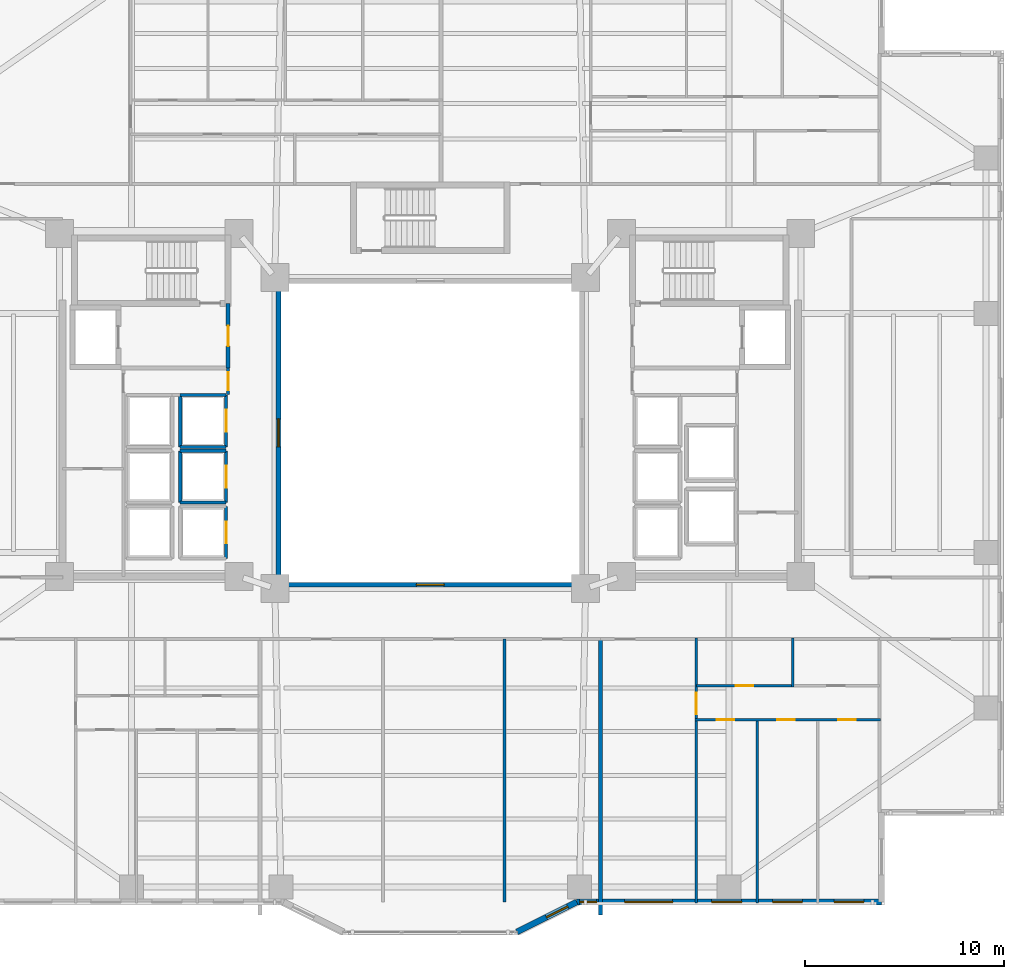
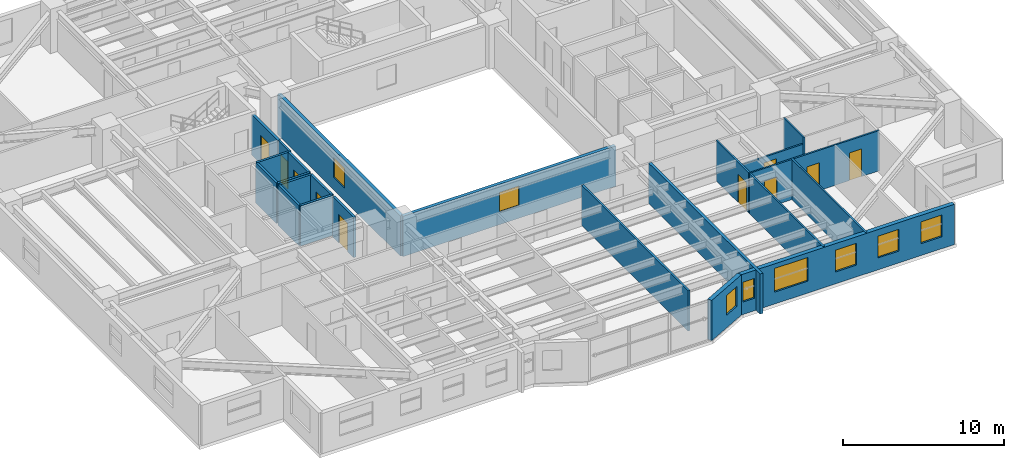
# One storey, part 11 of 20: 22 walls, 10 doors, 8 windows, 18 openings.
"""IFC4 building model written with IfcOpenShell, lengths in metres."""

from ifc_helpers import new_model, si_unit, direction, frame, frame_2d, origin, place, context, subcontext, project, spatial, rectangle, extrude, material, layer, layer_set, type_object, element, fill, save


model = new_model("IFC4")

# Units and contexts
model_context = context("Model", 3, precision=1e-05, world=origin(), true_north=direction((0.0, 1.0)))
body_context = subcontext(model_context, "Body", "Model", "MODEL_VIEW")
ifc_project = project(units=[si_unit("LENGTHUNIT", "METRE"), si_unit("AREAUNIT", "SQUARE_METRE"), si_unit("VOLUMEUNIT", "CUBIC_METRE"), si_unit("PLANEANGLEUNIT", "RADIAN"), si_unit("MASSUNIT", "GRAM", prefix="KILO")], contexts=[model_context])

# Site, building, storey
site_placement = place(None, origin())
site = spatial("IfcSite", under=ifc_project, at=site_placement, CompositionType="ELEMENT")
building_placement = place(site_placement, origin())
building = spatial("IfcBuilding", under=site, at=building_placement, Name="Tarnavaz Court Tower", CompositionType="ELEMENT")
storey_placement = place(building_placement, frame((0.0, 0.0, 60.85009765625)))
storey = spatial("IfcBuildingStorey", under=building, at=storey_placement, Name="L16", CompositionType="ELEMENT", Elevation=60.85009765625)

# Wall, openings, windows
ifc_material_1 = material(Name="Precast Concrete C40/50", Category="concrete")
ifc_layer_1 = layer(ifc_material_1, 0.300048828125)
ifc_layer_set_1 = layer_set([ifc_layer_1], Name="Precast Concrete C40/50")
wall_type_1 = type_object("IfcWallType", Name="WL-EXT-300", PredefinedType="SOLIDWALL", material=ifc_layer_set_1)
wall_1_placement = place(storey_placement, frame((22.64990234375, -23.550048828125, 0.0), z_axis=(0.0, 0.0, 1.0), x_axis=(-1.0, 0.0, 0.0)))
wall_1 = element("IfcWall", 1, at=wall_1_placement, inside=storey, type_object=wall_type_1, Name="L16 Exterior Terracotta Facade Wall 15", PredefinedType="SOLIDWALL", context=body_context, shape_type="SweptSolid", body=[
    extrude(rectangle(XDim=15.2998046875, YDim=0.300048828125, at=frame_2d((7.64990234375, 0.0))), origin(), (0.0, 0.0, 1.0), 3.0498046875),
])
opening_1_placement = place(wall_1_placement, frame((0.88037109375, 0.0, 0.89990234375)))
opening_1 = element("IfcOpeningElement", 2, at=opening_1_placement, cuts=wall_1, Name="Opening W03", PredefinedType="OPENING", context=body_context, shape_type="SweptSolid", body=[
    extrude(rectangle(XDim=1.5, YDim=1.64990234375, at=frame_2d((0.75, 0.824951171875))), frame((0.0, 0.159912109375, 0.0), z_axis=(0.0, -1.0, 0.0), x_axis=(1.0, 0.0, 0.0)), (0.0, 0.0, 1.0), 0.320068359375),
])
opening_2_placement = place(wall_1_placement, frame((3.96533203125, 0.0, 0.89990234375)))
opening_2 = element("IfcOpeningElement", 3, at=opening_2_placement, cuts=wall_1, Name="Opening W03", PredefinedType="OPENING", context=body_context, shape_type="SweptSolid", body=[
    extrude(rectangle(XDim=1.5, YDim=1.64990234375, at=frame_2d((0.75, 0.824951171875))), frame((0.0, 0.159912109375, 0.0), z_axis=(0.0, -1.0, 0.0), x_axis=(1.0, 0.0, 0.0)), (0.0, 0.0, 1.0), 0.320068359375),
])
opening_3_placement = place(wall_1_placement, frame((7.025390625, 0.0, 0.89990234375)))
opening_3 = element("IfcOpeningElement", 4, at=opening_3_placement, cuts=wall_1, Name="Opening W03", PredefinedType="OPENING", context=body_context, shape_type="SweptSolid", body=[
    extrude(rectangle(XDim=1.5, YDim=1.64990234375, at=frame_2d((0.75, 0.824951171875))), frame((0.0, 0.159912109375, 0.0), z_axis=(0.0, -1.0, 0.0), x_axis=(1.0, 0.0, 0.0)), (0.0, 0.0, 1.0), 0.320068359375),
])
opening_4_placement = place(wall_1_placement, frame((10.48828125, 0.0, 0.89990234375)))
opening_4 = element("IfcOpeningElement", 5, at=opening_4_placement, cuts=wall_1, Name="Opening W06", PredefinedType="OPENING", context=body_context, shape_type="SweptSolid", body=[
    extrude(rectangle(XDim=2.39990234375, YDim=1.800048828125, at=frame_2d((1.199951171875, 0.89990234375))), frame((0.0, 0.159912109375, 0.0), z_axis=(0.0, -1.0, 0.0), x_axis=(1.0, 0.0, 0.0)), (0.0, 0.0, 1.0), 0.320068359375),
])
opening_5_placement = place(wall_1_placement, frame((14.30322265625, 0.0, 0.949951171875)))
opening_5 = element("IfcOpeningElement", 6, at=opening_5_placement, cuts=wall_1, Name="Opening W15", PredefinedType="OPENING", context=body_context, shape_type="SweptSolid", body=[
    extrude(rectangle(XDim=0.85009765625, YDim=1.5, at=frame_2d((0.425048828125, 0.75))), frame((0.0, 0.159912109375, 0.0), z_axis=(0.0, -1.0, 0.0), x_axis=(1.0, 0.0, 0.0)), (0.0, 0.0, 1.0), 0.320068359375),
])
ifc_material_2 = material(Name="Double-Glazed Solar Low-E Glass", Category="glass")
window_type_1 = type_object("IfcWindowType", Name="WN-APT-1500", PartitioningType="DOUBLE_PANEL_VERTICAL", PredefinedType="WINDOW", material=ifc_material_2)
window_1_placement = place(opening_1_placement, origin())
window_1 = element("IfcWindow", 7, at=window_1_placement, inside=storey, type_object=window_type_1, Name="L16 Flat 04 Bedroom 3 Window", OverallHeight=1.64990234375, OverallWidth=1.5, PartitioningType="SINGLE_PANEL", PredefinedType="WINDOW", context=body_context, shape_type="SweptSolid", body=[
    extrude(rectangle(XDim=1.5, YDim=1.64990234375, at=frame_2d((0.75, 0.824951171875))), frame((0.0, 0.030029296875, 0.0), z_axis=(0.0, -1.0, 0.0), x_axis=(1.0, 0.0, 0.0)), (0.0, 0.0, 1.0), 0.06005859375),
])
fill(opening_1, window_1)
window_2_placement = place(opening_2_placement, origin())
window_2 = element("IfcWindow", 8, at=window_2_placement, inside=storey, type_object=window_type_1, Name="L16 Flat 04 Bedroom 2 Window", OverallHeight=1.64990234375, OverallWidth=1.5, PartitioningType="SINGLE_PANEL", PredefinedType="WINDOW", context=body_context, shape_type="SweptSolid", body=[
    extrude(rectangle(XDim=1.5, YDim=1.64990234375, at=frame_2d((0.75, 0.824951171875))), frame((0.0, 0.030029296875, 0.0), z_axis=(0.0, -1.0, 0.0), x_axis=(1.0, 0.0, 0.0)), (0.0, 0.0, 1.0), 0.06005859375),
])
fill(opening_2, window_2)
window_3_placement = place(opening_3_placement, origin())
window_3 = element("IfcWindow", 9, at=window_3_placement, inside=storey, type_object=window_type_1, Name="L16 Flat 04 Principal Bedroom Window", OverallHeight=1.64990234375, OverallWidth=1.5, PartitioningType="SINGLE_PANEL", PredefinedType="WINDOW", context=body_context, shape_type="SweptSolid", body=[
    extrude(rectangle(XDim=1.5, YDim=1.64990234375, at=frame_2d((0.75, 0.824951171875))), frame((0.0, 0.030029296875, 0.0), z_axis=(0.0, -1.0, 0.0), x_axis=(1.0, 0.0, 0.0)), (0.0, 0.0, 1.0), 0.06005859375),
])
fill(opening_3, window_3)
window_type_2 = type_object("IfcWindowType", Name="WN-APT-2400", PartitioningType="TRIPLE_PANEL_VERTICAL", PredefinedType="WINDOW", material=ifc_material_2)
window_4_placement = place(opening_4_placement, origin())
window_4 = element("IfcWindow", 10, at=window_4_placement, inside=storey, type_object=window_type_2, Name="L16 Flat 04 Living and Dining Room Window", OverallHeight=1.800048828125, OverallWidth=2.39990234375, PartitioningType="SINGLE_PANEL", PredefinedType="WINDOW", context=body_context, shape_type="SweptSolid", body=[
    extrude(rectangle(XDim=2.39990234375, YDim=1.800048828125, at=frame_2d((1.199951171875, 0.89990234375))), frame((0.0, 0.030029296875, 0.0), z_axis=(0.0, -1.0, 0.0), x_axis=(1.0, 0.0, 0.0)), (0.0, 0.0, 1.0), 0.06005859375),
])
fill(opening_4, window_4)
window_type_3 = type_object("IfcWindowType", Name="WN-APT-850", PartitioningType="SINGLE_PANEL", PredefinedType="WINDOW", material=ifc_material_2)
window_5_placement = place(opening_5_placement, origin())
window_5 = element("IfcWindow", 11, at=window_5_placement, inside=storey, type_object=window_type_3, Name="L16 Shared Community Tea Pantry Window", OverallHeight=1.5, OverallWidth=0.85009765625, PartitioningType="SINGLE_PANEL", PredefinedType="WINDOW", context=body_context, shape_type="SweptSolid", body=[
    extrude(rectangle(XDim=0.85009765625, YDim=1.5, at=frame_2d((0.425048828125, 0.75))), frame((0.0, 0.030029296875, 0.0), z_axis=(0.0, -1.0, 0.0), x_axis=(1.0, 0.0, 0.0)), (0.0, 0.0, 1.0), 0.06005859375),
])
fill(opening_5, window_5)

# Wall, opening, window
wall_2_placement = place(storey_placement, frame((7.35009765625, -23.550048828125, 0.0), z_axis=(0.0, 0.0, 1.0), x_axis=(-0.894427191, -0.4472135955, 0.0)))
wall_2 = element("IfcWall", 12, at=wall_2_placement, inside=storey, type_object=wall_type_1, Name="L16 Exterior Terracotta Facade Wall 16", PredefinedType="SOLIDWALL", context=body_context, shape_type="SweptSolid", body=[
    extrude(rectangle(XDim=3.35400390625, YDim=0.300048828125, at=frame_2d((1.677001953125, 0.0))), origin(), (0.0, 0.0, 1.0), 3.0498046875),
])
opening_6_placement = place(wall_2_placement, frame((0.501220703125, 0.0, 0.949951171875)))
opening_6 = element("IfcOpeningElement", 13, at=opening_6_placement, cuts=wall_2, Name="Opening W05", PredefinedType="OPENING", context=body_context, shape_type="SweptSolid", body=[
    extrude(rectangle(XDim=1.199951171875, YDim=1.5, at=frame_2d((0.60009765625, 0.75))), frame((0.0, 0.159912109375, 0.0), z_axis=(0.0, -1.0, 0.0), x_axis=(1.0, 0.0, 0.0)), (0.0, 0.0, 1.0), 0.320068359375),
])
window_type_4 = type_object("IfcWindowType", Name="WN-APT-1200", PartitioningType="SINGLE_PANEL", PredefinedType="WINDOW", material=ifc_material_2)
window_6_placement = place(opening_6_placement, origin())
window_6 = element("IfcWindow", 14, at=window_6_placement, inside=storey, type_object=window_type_4, Name="L16 Shared Community Tea Pantry Window", OverallHeight=1.5, OverallWidth=1.199951171875, PartitioningType="SINGLE_PANEL", PredefinedType="WINDOW", context=body_context, shape_type="SweptSolid", body=[
    extrude(rectangle(XDim=1.199951171875, YDim=1.5, at=frame_2d((0.60009765625, 0.75))), frame((0.0, 0.030029296875, 0.0), z_axis=(0.0, -1.0, 0.0), x_axis=(1.0, 0.0, 0.0)), (0.0, 0.0, 1.0), 0.06005859375),
])
fill(opening_6, window_6)

# Wall, opening, door
ifc_material_3 = material(Name="Autoclaved Aerated Concrete Blockwork", Category="masonry")
ifc_layer_2 = layer(ifc_material_3, 0.199951171875)
ifc_layer_set_2 = layer_set([ifc_layer_2], Name="Autoclaved Aerated Concrete Blockwork")
wall_type_2 = type_object("IfcWallType", Name="WL-FIRE-200", PredefinedType="SOLIDWALL", material=ifc_layer_set_2)
wall_3_placement = place(storey_placement, frame((-10.14990234375, 3.25, 0.0), z_axis=(0.0, 0.0, 1.0), x_axis=(0.0, 1.0, 0.0)))
wall_3 = element("IfcWall", 15, at=wall_3_placement, inside=storey, type_object=wall_type_2, Name="L16 West Firefighting Lobby Wall 014", PredefinedType="SOLIDWALL", context=body_context, shape_type="SweptSolid", body=[
    extrude(rectangle(XDim=3.25, YDim=0.199951171875, at=frame_2d((1.625, 0.0))), origin(), (0.0, 0.0, 1.0), 3.0498046875),
])
opening_7_placement = place(wall_3_placement, frame((1.10009765625, 0.0, 0.0)))
opening_7 = element("IfcOpeningElement", 16, at=opening_7_placement, cuts=wall_3, Name="Opening D05", PredefinedType="OPENING", context=body_context, shape_type="SweptSolid", body=[
    extrude(rectangle(XDim=1.02001953125, YDim=2.14990234375, at=frame_2d((0.510009765625, 1.074951171875))), frame((0.0, 0.10986328125, 0.0), z_axis=(0.0, -1.0, 0.0), x_axis=(1.0, 0.0, 0.0)), (0.0, 0.0, 1.0), 0.219970703125),
])
ifc_material_4 = material(Name="Fire-Rated Hardwood Timber Core", Category="wood")
door_type_1 = type_object("IfcDoorType", Name="DR-FD60-1000", OperationType="NOTDEFINED", PredefinedType="DOOR", material=ifc_material_4)
door_1_placement = place(opening_7_placement, origin())
door_1 = element("IfcDoor", 17, at=door_1_placement, inside=storey, type_object=door_type_1, Name="L16 West Firefighting Lobby Door", OperationType="SINGLE_SWING_RIGHT", OverallHeight=2.14990234375, OverallWidth=1.02001953125, PredefinedType="DOOR", context=body_context, shape_type="SweptSolid", body=[
    extrude(rectangle(XDim=1.02001953125, YDim=2.14990234375, at=frame_2d((0.510009765625, 1.074951171875))), frame((0.0, 0.02490234375, 0.0), z_axis=(0.0, -1.0, 0.0), x_axis=(1.0, 0.0, 0.0)), (0.0, 0.0, 1.0), 0.050048828125),
])
fill(opening_7, door_1)

# Wall
wall_4_placement = place(storey_placement, frame((8.550048828125, -24.2041015625, 0.0), z_axis=(0.0, 0.0, 1.0), x_axis=(0.0, 1.0, 0.0)))
element("IfcWall", 18, at=wall_4_placement, inside=storey, type_object=wall_type_2, Name="L16 Party Wall 118", PredefinedType="SOLIDWALL", context=body_context, shape_type="SweptSolid", body=[
    extrude(rectangle(XDim=13.85400390625, YDim=0.199951171875, at=frame_2d((6.927001953125, 0.0))), origin(), (0.0, 0.0, 1.0), 3.0498046875),
])

# Wall, opening, door
ifc_material_5 = material(Name="Moisture-Resistant Gypsum Board Partition", Category="masonry")
ifc_layer_3 = layer(ifc_material_5, 0.1201171875)
ifc_layer_set_3 = layer_set([ifc_layer_3], Name="Moisture-Resistant Gypsum Board Partition")
wall_type_3 = type_object("IfcWallType", Name="WL-PART-120", PredefinedType="PARTITIONING", material=ifc_layer_set_3)
wall_5_placement = place(storey_placement, frame((13.362060546875, -23.60009765625, 0.0), z_axis=(0.0, 0.0, 1.0), x_axis=(0.0, 1.0, 0.0)))
wall_5 = element("IfcWall", 19, at=wall_5_placement, inside=storey, type_object=wall_type_3, Name="L16 Interior Partition 110", PredefinedType="PARTITIONING", context=body_context, shape_type="SweptSolid", body=[
    extrude(rectangle(XDim=13.31005859375, YDim=0.1201171875, at=frame_2d((6.655029296875, 0.0))), origin(), (0.0, 0.0, 1.0), 3.0498046875),
])
opening_8_placement = place(wall_5_placement, frame((9.485107421875, 0.0, 0.0)))
opening_8 = element("IfcOpeningElement", 20, at=opening_8_placement, cuts=wall_5, Name="Opening D12", PredefinedType="OPENING", context=body_context, shape_type="SweptSolid", body=[
    extrude(rectangle(XDim=1.080078125, YDim=2.14990234375, at=frame_2d((0.5400390625, 1.074951171875))), frame((0.0, 0.070068359375, 0.0), z_axis=(0.0, -1.0, 0.0), x_axis=(1.0, 0.0, 0.0)), (0.0, 0.0, 1.0), 0.14013671875),
])
ifc_material_6 = material(Name="Engineered Oak Timber", Category="wood")
door_type_2 = type_object("IfcDoorType", Name="DR-INT-1100", OperationType="NOTDEFINED", PredefinedType="DOOR", material=ifc_material_6)
door_2_placement = place(opening_8_placement, origin())
door_2 = element("IfcDoor", 21, at=door_2_placement, inside=storey, type_object=door_type_2, Name="L16 Flat 04 Foyer Door", OperationType="SINGLE_SWING_RIGHT", OverallHeight=2.14990234375, OverallWidth=1.080078125, PredefinedType="DOOR", context=body_context, shape_type="SweptSolid", body=[
    extrude(rectangle(XDim=1.080078125, YDim=2.14990234375, at=frame_2d((0.5400390625, 1.074951171875))), frame((0.0, 0.02490234375, 0.0), z_axis=(0.0, -1.0, 0.0), x_axis=(1.0, 0.0, 0.0)), (0.0, 0.0, 1.0), 0.050048828125),
])
fill(opening_8, door_2)

wall_6_placement = place(storey_placement, frame((13.362060546875, -12.68994140625, 0.0), z_axis=(0.0, 0.0, 1.0), x_axis=(1.0, 0.0, 0.0)))
wall_6 = element("IfcWall", 22, at=wall_6_placement, inside=storey, type_object=wall_type_3, Name="L16 Interior Partition 111", PredefinedType="PARTITIONING", context=body_context, shape_type="SweptSolid", body=[
    extrude(rectangle(XDim=4.837890625, YDim=0.1201171875, at=frame_2d((2.4189453125, 0.0))), origin(), (0.0, 0.0, 1.0), 2.534912109375),
])
opening_9_placement = place(wall_6_placement, frame((1.97900390625, 0.0, 0.0)))
opening_9 = element("IfcOpeningElement", 23, at=opening_9_placement, cuts=wall_6, Name="Opening D14", PredefinedType="OPENING", context=body_context, shape_type="SweptSolid", body=[
    extrude(rectangle(XDim=0.8798828125, YDim=2.10009765625, at=frame_2d((0.43994140625, 1.050048828125))), frame((0.0, 0.070068359375, 0.0), z_axis=(0.0, -1.0, 0.0), x_axis=(1.0, 0.0, 0.0)), (0.0, 0.0, 1.0), 0.14013671875),
])
door_type_3 = type_object("IfcDoorType", Name="DR-INT-900", OperationType="NOTDEFINED", PredefinedType="DOOR", material=ifc_material_6)
door_3_placement = place(opening_9_placement, origin())
door_3 = element("IfcDoor", 24, at=door_3_placement, inside=storey, type_object=door_type_3, Name="L16 Flat 04 Kitchen Door", OperationType="SINGLE_SWING_LEFT", OverallHeight=2.10009765625, OverallWidth=0.8798828125, PredefinedType="DOOR", context=body_context, shape_type="SweptSolid", body=[
    extrude(rectangle(XDim=0.8798828125, YDim=2.10009765625, at=frame_2d((0.43994140625, 1.050048828125))), frame((0.0, 0.02490234375, 0.0), z_axis=(0.0, -1.0, 0.0), x_axis=(1.0, 0.0, 0.0)), (0.0, 0.0, 1.0), 0.050048828125),
])
fill(opening_9, door_3)

# Wall, openings, doors
wall_7_placement = place(storey_placement, frame((13.302001953125, -14.39990234375, 0.0), z_axis=(0.0, 0.0, 1.0), x_axis=(1.0, 0.0, 0.0)))
wall_7 = element("IfcWall", 25, at=wall_7_placement, inside=storey, type_object=wall_type_3, Name="L16 Interior Partition 113", PredefinedType="PARTITIONING", context=body_context, shape_type="SweptSolid", body=[
    extrude(rectangle(XDim=9.30810546875, YDim=0.1201171875, at=frame_2d((4.654052734375, 0.0))), origin(), (0.0, 0.0, 1.0), 3.0498046875),
])
opening_10_placement = place(wall_7_placement, frame((1.0810546875, 0.0, 0.0)))
opening_10 = element("IfcOpeningElement", 26, at=opening_10_placement, cuts=wall_7, Name="Opening D14", PredefinedType="OPENING", context=body_context, shape_type="SweptSolid", body=[
    extrude(rectangle(XDim=0.8798828125, YDim=2.10009765625, at=frame_2d((0.43994140625, 1.050048828125))), frame((0.0, 0.070068359375, 0.0), z_axis=(0.0, -1.0, 0.0), x_axis=(1.0, 0.0, 0.0)), (0.0, 0.0, 1.0), 0.14013671875),
])
opening_11_placement = place(wall_7_placement, frame((4.1240234375, 0.0, 0.0)))
opening_11 = element("IfcOpeningElement", 27, at=opening_11_placement, cuts=wall_7, Name="Opening D14", PredefinedType="OPENING", context=body_context, shape_type="SweptSolid", body=[
    extrude(rectangle(XDim=0.8798828125, YDim=2.10009765625, at=frame_2d((0.43994140625, 1.050048828125))), frame((0.0, 0.070068359375, 0.0), z_axis=(0.0, -1.0, 0.0), x_axis=(1.0, 0.0, 0.0)), (0.0, 0.0, 1.0), 0.14013671875),
])
opening_12_placement = place(wall_7_placement, frame((7.1669921875, 0.0, 0.0)))
opening_12 = element("IfcOpeningElement", 28, at=opening_12_placement, cuts=wall_7, Name="Opening D14", PredefinedType="OPENING", context=body_context, shape_type="SweptSolid", body=[
    extrude(rectangle(XDim=0.8798828125, YDim=2.10009765625, at=frame_2d((0.43994140625, 1.050048828125))), frame((0.0, 0.070068359375, 0.0), z_axis=(0.0, -1.0, 0.0), x_axis=(1.0, 0.0, 0.0)), (0.0, 0.0, 1.0), 0.14013671875),
])
door_4_placement = place(opening_10_placement, origin())
door_4 = element("IfcDoor", 29, at=door_4_placement, inside=storey, type_object=door_type_3, Name="L16 Flat 04 Bedroom 1 Door", OperationType="SINGLE_SWING_LEFT", OverallHeight=2.10009765625, OverallWidth=0.8798828125, PredefinedType="DOOR", context=body_context, shape_type="SweptSolid", body=[
    extrude(rectangle(XDim=0.8798828125, YDim=2.10009765625, at=frame_2d((0.43994140625, 1.050048828125))), frame((0.0, 0.02490234375, 0.0), z_axis=(0.0, -1.0, 0.0), x_axis=(1.0, 0.0, 0.0)), (0.0, 0.0, 1.0), 0.050048828125),
])
fill(opening_10, door_4)
door_5_placement = place(opening_11_placement, origin())
door_5 = element("IfcDoor", 30, at=door_5_placement, inside=storey, type_object=door_type_3, Name="L16 Flat 04 Bedroom 2 Door", OperationType="SINGLE_SWING_RIGHT", OverallHeight=2.10009765625, OverallWidth=0.8798828125, PredefinedType="DOOR", context=body_context, shape_type="SweptSolid", body=[
    extrude(rectangle(XDim=0.8798828125, YDim=2.10009765625, at=frame_2d((0.43994140625, 1.050048828125))), frame((0.0, 0.02490234375, 0.0), z_axis=(0.0, -1.0, 0.0), x_axis=(1.0, 0.0, 0.0)), (0.0, 0.0, 1.0), 0.050048828125),
])
fill(opening_11, door_5)
door_6_placement = place(opening_12_placement, origin())
door_6 = element("IfcDoor", 31, at=door_6_placement, inside=storey, type_object=door_type_3, Name="L16 Flat 04 Bedroom 3 Door", OperationType="SINGLE_SWING_LEFT", OverallHeight=2.10009765625, OverallWidth=0.8798828125, PredefinedType="DOOR", context=body_context, shape_type="SweptSolid", body=[
    extrude(rectangle(XDim=0.8798828125, YDim=2.10009765625, at=frame_2d((0.43994140625, 1.050048828125))), frame((0.0, 0.02490234375, 0.0), z_axis=(0.0, -1.0, 0.0), x_axis=(1.0, 0.0, 0.0)), (0.0, 0.0, 1.0), 0.050048828125),
])
fill(opening_12, door_6)

# Walls
wall_8_placement = place(storey_placement, frame((18.199951171875, -12.75, 0.0), z_axis=(0.0, 0.0, 1.0), x_axis=(0.0, 1.0, 0.0)))
element("IfcWall", 32, at=wall_8_placement, inside=storey, type_object=wall_type_3, Name="L16 Interior Partition 114", PredefinedType="PARTITIONING", context=body_context, shape_type="SweptSolid", body=[
    extrude(rectangle(XDim=2.4599609375, YDim=0.1201171875, at=frame_2d((1.22998046875, 0.0))), origin(), (0.0, 0.0, 1.0), 3.0498046875),
])
wall_9_placement = place(storey_placement, frame((16.405029296875, -23.60009765625, 0.0), z_axis=(0.0, 0.0, 1.0), x_axis=(0.0, 1.0, 0.0)))
element("IfcWall", 33, at=wall_9_placement, inside=storey, type_object=wall_type_3, Name="L16 Interior Partition 115", PredefinedType="PARTITIONING", context=body_context, shape_type="SweptSolid", body=[
    extrude(rectangle(XDim=9.260009765625, YDim=0.1201171875, at=frame_2d((4.6298828125, 0.0))), origin(), (0.0, 0.0, 1.0), 3.0498046875),
])

# Wall, opening, door
ifc_material_7 = material(Name="Gypsum Plasterboard Acoustic Partition", Category="masonry")
ifc_layer_4 = layer(ifc_material_7, 0.139892578125)
ifc_layer_set_4 = layer_set([ifc_layer_4], Name="Gypsum Plasterboard Acoustic Partition")
wall_type_4 = type_object("IfcWallType", Name="WL-PART-150", PredefinedType="PARTITIONING", material=ifc_layer_set_4)
wall_10_placement = place(storey_placement, frame((-10.14990234375, 1.919921875, 0.0), z_axis=(0.0, 0.0, 1.0), x_axis=(0.0, 1.0, 0.0)))
wall_10 = element("IfcWall", 34, at=wall_10_placement, inside=storey, type_object=wall_type_4, Name="L16 Interior Partition 074", PredefinedType="PARTITIONING", context=body_context, shape_type="SweptSolid", body=[
    extrude(rectangle(XDim=1.330078125, YDim=0.139892578125, at=frame_2d((0.6650390625, 0.0))), origin(), (0.0, 0.0, 1.0), 3.0498046875),
])
opening_13_placement = place(wall_10_placement, frame((0.219970703125, 0.0, 0.0)))
opening_13 = element("IfcOpeningElement", 35, at=opening_13_placement, cuts=wall_10, Name="Opening D09", PredefinedType="OPENING", context=body_context, shape_type="SweptSolid", body=[
    extrude(rectangle(XDim=0.89990234375, YDim=2.080078125, at=frame_2d((0.449951171875, 1.0400390625))), frame((0.0, 0.079833984375, 0.0), z_axis=(0.0, -1.0, 0.0), x_axis=(1.0, 0.0, 0.0)), (0.0, 0.0, 1.0), 0.159912109375),
])
door_type_4 = type_object("IfcDoorType", Name="DR-FD30-900", OperationType="NOTDEFINED", PredefinedType="DOOR", material=ifc_material_4)
door_7_placement = place(opening_13_placement, origin())
door_7 = element("IfcDoor", 36, at=door_7_placement, inside=storey, type_object=door_type_4, Name="L16 West Core Service Lobby Door", OperationType="SINGLE_SWING_LEFT", OverallHeight=2.080078125, OverallWidth=0.89990234375, PredefinedType="DOOR", context=body_context, shape_type="SweptSolid", body=[
    extrude(rectangle(XDim=0.89990234375, YDim=2.080078125, at=frame_2d((0.449951171875, 1.0400390625))), frame((0.0, 0.02490234375, 0.0), z_axis=(0.0, -1.0, 0.0), x_axis=(1.0, 0.0, 0.0)), (0.0, 0.0, 1.0), 0.050048828125),
])
fill(opening_13, door_7)

# Wall
wall_11_placement = place(storey_placement, frame((3.73095703125, -23.550048828125, 0.0), z_axis=(0.0, 0.0, 1.0), x_axis=(0.0, 1.0, 0.0)))
element("IfcWall", 37, at=wall_11_placement, inside=storey, type_object=wall_type_4, Name="L16 Interior Partition 120", PredefinedType="PARTITIONING", context=body_context, shape_type="SweptSolid", body=[
    extrude(rectangle(XDim=13.199951171875, YDim=0.139892578125, at=frame_2d((6.60009765625, 0.0))), origin(), (0.0, 0.0, 1.0), 3.0498046875),
])

# Wall, opening, door
ifc_layer_5 = layer(ifc_material_3, 0.159912109375)
ifc_layer_set_5 = layer_set([ifc_layer_5], Name="Autoclaved Aerated Concrete Blockwork")
wall_type_5 = type_object("IfcWallType", Name="WL-SHAFT-150", PredefinedType="SOLIDWALL", material=ifc_layer_set_5)
wall_12_placement = place(storey_placement, frame((-10.25, -6.300048828125, 0.0), z_axis=(0.0, 0.0, 1.0), x_axis=(0.0, 1.0, 0.0)))
wall_12 = element("IfcWall", 38, at=wall_12_placement, inside=storey, type_object=wall_type_5, Name="L16 Lift PL-L1 Shaft Wall 022", PredefinedType="SOLIDWALL", context=body_context, shape_type="SweptSolid", body=[
    extrude(rectangle(XDim=2.60009765625, YDim=0.159912109375, at=frame_2d((1.300048828125, 0.0))), origin(), (0.0, 0.0, 1.0), 3.0498046875),
])
opening_14_placement = place(wall_12_placement, frame((0.75, 0.0, 0.0)))
opening_14 = element("IfcOpeningElement", 39, at=opening_14_placement, cuts=wall_12, Name="Opening LD1", PredefinedType="OPENING", context=body_context, shape_type="SweptSolid", body=[
    extrude(rectangle(XDim=1.10009765625, YDim=2.14990234375, at=frame_2d((0.550048828125, 1.074951171875))), frame((0.0, 0.08984375, 0.0), z_axis=(0.0, -1.0, 0.0), x_axis=(1.0, 0.0, 0.0)), (0.0, 0.0, 1.0), 0.179931640625),
])
ifc_material_8 = material(Name="Stainless Steel", Category="steel")
door_type_5 = type_object("IfcDoorType", Name="DR-LD-1100", OperationType="NOTDEFINED", PredefinedType="DOOR", material=ifc_material_8)
door_8_placement = place(opening_14_placement, origin())
door_8 = element("IfcDoor", 40, at=door_8_placement, inside=storey, type_object=door_type_5, Name="L16 Lift Landing Door LD-PL-L1", OperationType="SLIDING_TO_LEFT", OverallHeight=2.14990234375, OverallWidth=1.10009765625, PredefinedType="DOOR", context=body_context, shape_type="SweptSolid", body=[
    extrude(rectangle(XDim=1.10009765625, YDim=2.14990234375, at=frame_2d((0.550048828125, 1.074951171875))), frame((0.0, 0.02490234375, 0.0), z_axis=(0.0, -1.0, 0.0), x_axis=(1.0, 0.0, 0.0)), (0.0, 0.0, 1.0), 0.050048828125),
])
fill(opening_14, door_8)

# Wall
wall_13_placement = place(storey_placement, frame((-12.550048828125, -3.5, 0.0), z_axis=(0.0, 0.0, 1.0), x_axis=(0.0, 1.0, 0.0)))
element("IfcWall", 41, at=wall_13_placement, inside=storey, type_object=wall_type_5, Name="L16 Lift PL-L2 Shaft Wall 025", PredefinedType="SOLIDWALL", context=body_context, shape_type="SweptSolid", body=[
    extrude(rectangle(XDim=2.60009765625, YDim=0.159912109375, at=frame_2d((1.300048828125, 0.0))), origin(), (0.0, 0.0, 1.0), 3.0498046875),
])

# Wall, opening, door
wall_14_placement = place(storey_placement, frame((-10.25, -3.5, 0.0), z_axis=(0.0, 0.0, 1.0), x_axis=(0.0, 1.0, 0.0)))
wall_14 = element("IfcWall", 42, at=wall_14_placement, inside=storey, type_object=wall_type_5, Name="L16 Lift PL-L2 Shaft Wall 026", PredefinedType="SOLIDWALL", context=body_context, shape_type="SweptSolid", body=[
    extrude(rectangle(XDim=2.60009765625, YDim=0.159912109375, at=frame_2d((1.300048828125, 0.0))), origin(), (0.0, 0.0, 1.0), 3.0498046875),
])
opening_15_placement = place(wall_14_placement, frame((0.75, 0.0, 0.0)))
opening_15 = element("IfcOpeningElement", 43, at=opening_15_placement, cuts=wall_14, Name="Opening LD1", PredefinedType="OPENING", context=body_context, shape_type="SweptSolid", body=[
    extrude(rectangle(XDim=1.10009765625, YDim=2.14990234375, at=frame_2d((0.550048828125, 1.074951171875))), frame((0.0, 0.08984375, 0.0), z_axis=(0.0, -1.0, 0.0), x_axis=(1.0, 0.0, 0.0)), (0.0, 0.0, 1.0), 0.179931640625),
])
door_9_placement = place(opening_15_placement, origin())
door_9 = element("IfcDoor", 44, at=door_9_placement, inside=storey, type_object=door_type_5, Name="L16 Lift Landing Door LD-PL-L2", OperationType="SLIDING_TO_LEFT", OverallHeight=2.14990234375, OverallWidth=1.10009765625, PredefinedType="DOOR", context=body_context, shape_type="SweptSolid", body=[
    extrude(rectangle(XDim=1.10009765625, YDim=2.14990234375, at=frame_2d((0.550048828125, 1.074951171875))), frame((0.0, 0.02490234375, 0.0), z_axis=(0.0, -1.0, 0.0), x_axis=(1.0, 0.0, 0.0)), (0.0, 0.0, 1.0), 0.050048828125),
])
fill(opening_15, door_9)

# Walls
for number, where, z_axis, x_axis, name in (
    (45, (-12.550048828125, -3.5, 0.0), (0.0, 0.0, 1.0), (1.0, 0.0, 0.0), "L16 Lift PL-L2 Shaft Wall 027"),
    (46, (-12.550048828125, -0.89990234375, 0.0), (0.0, 0.0, 1.0), (1.0, 0.0, 0.0), "L16 Lift PL-L2 Shaft Wall 028"),
):
    element("IfcWall", number, at=place(storey_placement, frame(where, z_axis=z_axis, x_axis=x_axis)), inside=storey, type_object=wall_type_5, Name=name, PredefinedType="SOLIDWALL", context=body_context, shape_type="SweptSolid", body=[
        extrude(rectangle(XDim=2.300048828125, YDim=0.159912109375, at=frame_2d((1.14990234375, 0.0))), origin(), (0.0, 0.0, 1.0), 3.0498046875),
    ])
wall_15_placement = place(storey_placement, frame((-12.550048828125, -0.699951171875, 0.0), z_axis=(0.0, 0.0, 1.0), x_axis=(0.0, 1.0, 0.0)))
element("IfcWall", 47, at=wall_15_placement, inside=storey, type_object=wall_type_5, Name="L16 Lift PL-L3 Shaft Wall 029", PredefinedType="SOLIDWALL", context=body_context, shape_type="SweptSolid", body=[
    extrude(rectangle(XDim=2.599853515625, YDim=0.159912109375, at=frame_2d((1.2998046875, 0.0))), origin(), (0.0, 0.0, 1.0), 3.0498046875),
])

# Wall, opening, door
wall_16_placement = place(storey_placement, frame((-10.25, -0.699951171875, 0.0), z_axis=(0.0, 0.0, 1.0), x_axis=(0.0, 1.0, 0.0)))
wall_16 = element("IfcWall", 48, at=wall_16_placement, inside=storey, type_object=wall_type_5, Name="L16 Lift PL-L3 Shaft Wall 030", PredefinedType="SOLIDWALL", context=body_context, shape_type="SweptSolid", body=[
    extrude(rectangle(XDim=2.599853515625, YDim=0.159912109375, at=frame_2d((1.2998046875, 0.0))), origin(), (0.0, 0.0, 1.0), 3.0498046875),
])
opening_16_placement = place(wall_16_placement, frame((0.75, 0.0, 0.0)))
opening_16 = element("IfcOpeningElement", 49, at=opening_16_placement, cuts=wall_16, Name="Opening LD1", PredefinedType="OPENING", context=body_context, shape_type="SweptSolid", body=[
    extrude(rectangle(XDim=1.10009765625, YDim=2.14990234375, at=frame_2d((0.550048828125, 1.074951171875))), frame((0.0, 0.08984375, 0.0), z_axis=(0.0, -1.0, 0.0), x_axis=(1.0, 0.0, 0.0)), (0.0, 0.0, 1.0), 0.179931640625),
])
door_10_placement = place(opening_16_placement, origin())
door_10 = element("IfcDoor", 50, at=door_10_placement, inside=storey, type_object=door_type_5, Name="L16 Lift Landing Door LD-PL-L3", OperationType="SLIDING_TO_LEFT", OverallHeight=2.14990234375, OverallWidth=1.10009765625, PredefinedType="DOOR", context=body_context, shape_type="SweptSolid", body=[
    extrude(rectangle(XDim=1.10009765625, YDim=2.14990234375, at=frame_2d((0.550048828125, 1.074951171875))), frame((0.0, 0.02490234375, 0.0), z_axis=(0.0, -1.0, 0.0), x_axis=(1.0, 0.0, 0.0)), (0.0, 0.0, 1.0), 0.050048828125),
])
fill(opening_16, door_10)

# Walls
for number, where, z_axis, x_axis, name in (
    (51, (-12.550048828125, -0.699951171875, 0.0), (0.0, 0.0, 1.0), (1.0, 0.0, 0.0), "L16 Lift PL-L3 Shaft Wall 031"),
    (52, (-12.550048828125, 1.89990234375, 0.0), (0.0, 0.0, 1.0), (1.0, 0.0, 0.0), "L16 Lift PL-L3 Shaft Wall 032"),
):
    element("IfcWall", number, at=place(storey_placement, frame(where, z_axis=z_axis, x_axis=x_axis)), inside=storey, type_object=wall_type_5, Name=name, PredefinedType="SOLIDWALL", context=body_context, shape_type="SweptSolid", body=[
        extrude(rectangle(XDim=2.300048828125, YDim=0.159912109375, at=frame_2d((1.14990234375, 0.0))), origin(), (0.0, 0.0, 1.0), 3.0498046875),
    ])

# Wall, opening, window
ifc_layer_6 = layer(ifc_material_1, 0.239990234375)
ifc_layer_set_6 = layer_set([ifc_layer_6], Name="Precast Concrete C40/50")
wall_type_6 = type_object("IfcWallType", Name="WL-WELL-240", PredefinedType="SOLIDWALL", material=ifc_layer_set_6)
wall_17_placement = place(storey_placement, frame((-7.6201171875, -7.6201171875, 0.0), z_axis=(0.0, 0.0, 1.0), x_axis=(1.0, 0.0, 0.0)))
wall_17 = element("IfcWall", 53, at=wall_17_placement, inside=storey, type_object=wall_type_6, Name="L16 Badgir Light-Well Exterior Wall S", PredefinedType="SOLIDWALL", context=body_context, shape_type="SweptSolid", body=[
    extrude(rectangle(XDim=15.240234375, YDim=0.239990234375, at=frame_2d((7.6201171875, 0.0))), origin(), (0.0, 0.0, 1.0), 3.0498046875),
])
opening_17_placement = place(wall_17_placement, frame((6.919921875, 0.0, 0.949951171875)))
opening_17 = element("IfcOpeningElement", 54, at=opening_17_placement, cuts=wall_17, Name="Opening W13", PredefinedType="OPENING", context=body_context, shape_type="SweptSolid", body=[
    extrude(rectangle(XDim=1.39990234375, YDim=1.5, at=frame_2d((0.699951171875, 0.75))), frame((0.0, 0.1298828125, 0.0), z_axis=(0.0, -1.0, 0.0), x_axis=(1.0, 0.0, 0.0)), (0.0, 0.0, 1.0), 0.260009765625),
])
window_type_5 = type_object("IfcWindowType", Name="WN-WEL-1400", PartitioningType="SINGLE_PANEL", PredefinedType="WINDOW", material=ifc_material_2)
window_7_placement = place(opening_17_placement, origin())
window_7 = element("IfcWindow", 55, at=window_7_placement, inside=storey, type_object=window_type_5, Name="L16 Courtyard Gallery Window S", OverallHeight=1.5, OverallWidth=1.39990234375, PartitioningType="SINGLE_PANEL", PredefinedType="WINDOW", context=body_context, shape_type="SweptSolid", body=[
    extrude(rectangle(XDim=1.39990234375, YDim=1.5, at=frame_2d((0.699951171875, 0.75))), frame((0.0, 0.030029296875, 0.0), z_axis=(0.0, -1.0, 0.0), x_axis=(1.0, 0.0, 0.0)), (0.0, 0.0, 1.0), 0.06005859375),
])
fill(opening_17, window_7)

wall_18_placement = place(storey_placement, frame((-7.6201171875, 7.6201171875, 0.0), z_axis=(0.0, 0.0, 1.0), x_axis=(0.0, -1.0, 0.0)))
wall_18 = element("IfcWall", 56, at=wall_18_placement, inside=storey, type_object=wall_type_6, Name="L16 Badgir Light-Well Exterior Wall W", PredefinedType="SOLIDWALL", context=body_context, shape_type="SweptSolid", body=[
    extrude(rectangle(XDim=15.240234375, YDim=0.239990234375, at=frame_2d((7.6201171875, 0.0))), origin(), (0.0, 0.0, 1.0), 3.0498046875),
])
opening_18_placement = place(wall_18_placement, frame((6.919921875, 0.0, 0.949951171875)))
opening_18 = element("IfcOpeningElement", 57, at=opening_18_placement, cuts=wall_18, Name="Opening W13", PredefinedType="OPENING", context=body_context, shape_type="SweptSolid", body=[
    extrude(rectangle(XDim=1.39990234375, YDim=1.5, at=frame_2d((0.699951171875, 0.75))), frame((0.0, 0.1298828125, 0.0), z_axis=(0.0, -1.0, 0.0), x_axis=(1.0, 0.0, 0.0)), (0.0, 0.0, 1.0), 0.260009765625),
])
window_8_placement = place(opening_18_placement, origin())
window_8 = element("IfcWindow", 58, at=window_8_placement, inside=storey, type_object=window_type_5, Name="L16 Courtyard Gallery Window W", OverallHeight=1.5, OverallWidth=1.39990234375, PartitioningType="SINGLE_PANEL", PredefinedType="WINDOW", context=body_context, shape_type="SweptSolid", body=[
    extrude(rectangle(XDim=1.39990234375, YDim=1.5, at=frame_2d((0.699951171875, 0.75))), frame((0.0, 0.030029296875, 0.0), z_axis=(0.0, -1.0, 0.0), x_axis=(1.0, 0.0, 0.0)), (0.0, 0.0, 1.0), 0.06005859375),
])
fill(opening_18, window_8)

save(model, "model.ifc")
